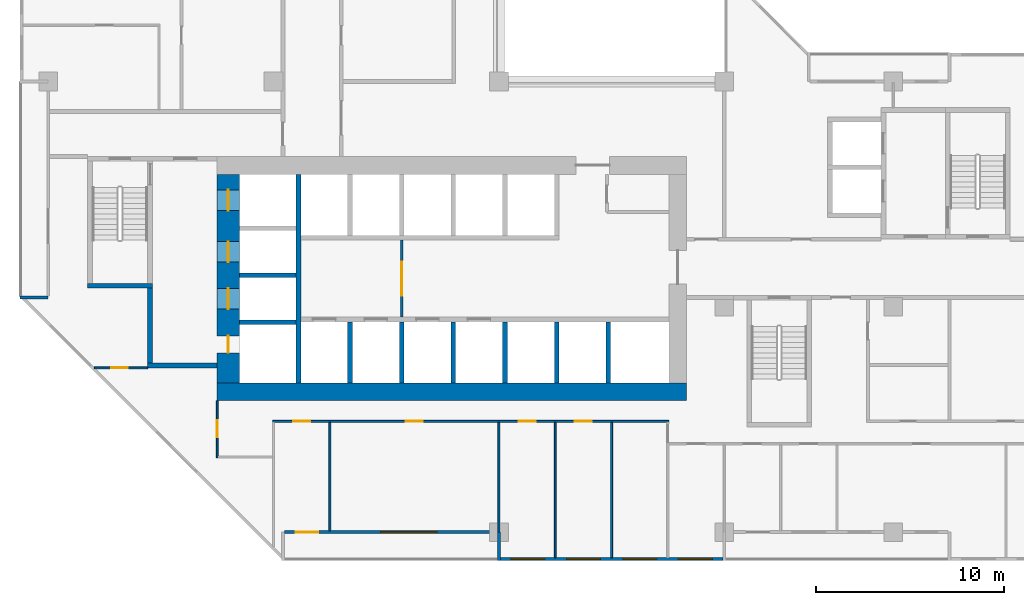
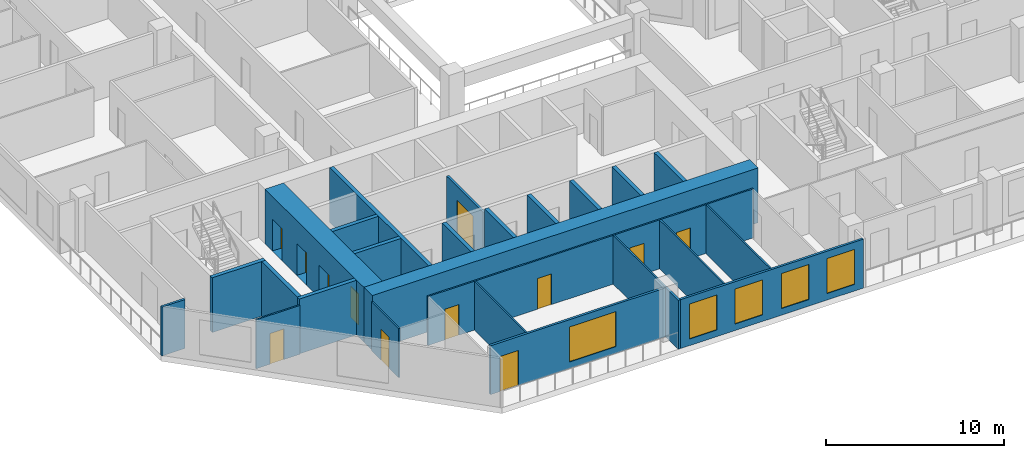
# One storey, part 4 of 16: 26 walls, 12 doors, 5 windows, 17 openings.
"""IFC4 building model written with IfcOpenShell, lengths in metres."""

from ifc_helpers import new_model, si_unit, direction, frame, frame_2d, origin, place, context, subcontext, project, spatial, rectangle, extrude, material, layer, layer_set, type_object, element, fill, save


model = new_model("IFC4")

# Units and contexts
model_context = context("Model", 3, precision=1e-05, world=origin(), true_north=direction((0.0, 1.0)))
body_context = subcontext(model_context, "Body", "Model", "MODEL_VIEW")
ifc_project = project(units=[si_unit("LENGTHUNIT", "METRE"), si_unit("AREAUNIT", "SQUARE_METRE"), si_unit("VOLUMEUNIT", "CUBIC_METRE"), si_unit("PLANEANGLEUNIT", "RADIAN"), si_unit("MASSUNIT", "GRAM", prefix="KILO")], contexts=[model_context])

# Site, building, storey
site_placement = place(None, origin())
site = spatial("IfcSite", under=ifc_project, at=site_placement, CompositionType="ELEMENT")
building_placement = place(site_placement, origin())
building = spatial("IfcBuilding", under=site, at=building_placement, Name="Chenar Terraces", CompositionType="ELEMENT")
storey_placement = place(building_placement, frame((0.0, 0.0, 103.14990234375)))
storey = spatial("IfcBuildingStorey", under=building, at=storey_placement, Name="L23", CompositionType="ELEMENT", Elevation=103.14990234375)

# Wall, opening, door
ifc_material_1 = material(Name="Gypsum board on steel studs", Category="steel")
ifc_layer_1 = layer(ifc_material_1, 0.14990234375)
ifc_layer_set_1 = layer_set([ifc_layer_1], Name="Gypsum board on steel studs")
wall_type_1 = type_object("IfcWallType", Name="Core partition 150 gypsum board", PredefinedType="PARTITIONING", material=ifc_layer_set_1)
wall_1_placement = place(storey_placement, frame((18.824951171875, 11.449951171875, 0.0), z_axis=(0.0, 0.0, 1.0), x_axis=(0.0, 1.0, 0.0)))
wall_1 = element("IfcWall", 1, at=wall_1_placement, inside=storey, type_object=wall_type_1, Name="Core partition CP1 lift lobby smoke stop", PredefinedType="PARTITIONING", context=body_context, shape_type="SweptSolid", body=[
    extrude(rectangle(XDim=4.10009765625, YDim=0.14990234375, at=frame_2d((2.050048828125, 0.0))), origin(), (0.0, 0.0, 1.0), 3.35009765625),
])
opening_1_placement = place(wall_1_placement, frame((1.14990234375, 0.0, 0.0)))
opening_1 = element("IfcOpeningElement", 2, at=opening_1_placement, cuts=wall_1, Name="Opening DL23-C12", PredefinedType="OPENING", context=body_context, shape_type="SweptSolid", body=[
    extrude(rectangle(XDim=1.800048828125, YDim=2.39990234375, at=frame_2d((0.89990234375, 1.199951171875))), frame((0.0, 0.0849609375, 0.0), z_axis=(0.0, -1.0, 0.0), x_axis=(1.0, 0.0, 0.0)), (0.0, 0.0, 1.0), 0.169921875),
])
ifc_material_2 = material(Name="Steel-framed fire-resisting door leaf", Category="steel")
door_type_1 = type_object("IfcDoorType", Name="Core entrance double fire door FD60 1800 x 2400", OperationType="DOUBLE_DOOR_SINGLE_SWING", PredefinedType="DOOR", material=ifc_material_2)
door_1_placement = place(opening_1_placement, origin())
door_1 = element("IfcDoor", 3, at=door_1_placement, inside=storey, type_object=door_type_1, Name="Core door DL23-C12", OperationType="DOUBLE_DOOR_SINGLE_SWING", OverallHeight=2.39990234375, OverallWidth=1.800048828125, PredefinedType="DOOR", context=body_context, shape_type="SweptSolid", body=[
    extrude(rectangle(XDim=1.800048828125, YDim=2.39990234375, at=frame_2d((0.89990234375, 1.199951171875))), frame((0.0, 0.02490234375, 0.0), z_axis=(0.0, -1.0, 0.0), x_axis=(1.0, 0.0, 0.0)), (0.0, 0.0, 1.0), 0.050048828125),
])
fill(opening_1, door_1)

# Wall, openings, doors
ifc_material_3 = material(Name="Concrete C70/85", Category="concrete")
ifc_layer_2 = layer(ifc_material_3, 1.199951171875)
ifc_layer_set_2 = layer_set([ifc_layer_2], Name="Concrete C70/85")
wall_type_2 = type_object("IfcWallType", Name="Core wall 1200 Concrete C70/85", PredefinedType="SHEAR", material=ifc_layer_set_2)
wall_2_placement = place(storey_placement, frame((9.60009765625, 7.949951171875, 0.0), z_axis=(0.0, 0.0, 1.0), x_axis=(0.0, 1.0, 0.0)))
wall_2 = element("IfcWall", 4, at=wall_2_placement, inside=storey, type_object=wall_type_2, Name="Core wall W L23", PredefinedType="SHEAR", context=body_context, shape_type="SweptSolid", body=[
    extrude(rectangle(XDim=11.10009765625, YDim=1.199951171875, at=frame_2d((5.550048828125, 0.0))), origin(), (0.0, 0.0, 1.0), 3.75),
])
opening_2_placement = place(wall_2_placement, frame((3.925048828125, 0.0, 0.0)))
opening_2 = element("IfcOpeningElement", 5, at=opening_2_placement, cuts=wall_2, Name="Opening DL23-LD5", PredefinedType="OPENING", context=body_context, shape_type="SweptSolid", body=[
    extrude(rectangle(XDim=1.10009765625, YDim=2.199951171875, at=frame_2d((0.550048828125, 1.10009765625))), frame((0.0, 0.60986328125, 0.0), z_axis=(0.0, -1.0, 0.0), x_axis=(1.0, 0.0, 0.0)), (0.0, 0.0, 1.0), 1.219970703125),
])
opening_3_placement = place(wall_2_placement, frame((6.425048828125, 0.0, 0.0)))
opening_3 = element("IfcOpeningElement", 6, at=opening_3_placement, cuts=wall_2, Name="Opening DL23-LD6", PredefinedType="OPENING", context=body_context, shape_type="SweptSolid", body=[
    extrude(rectangle(XDim=1.10009765625, YDim=2.199951171875, at=frame_2d((0.550048828125, 1.10009765625))), frame((0.0, 0.60986328125, 0.0), z_axis=(0.0, -1.0, 0.0), x_axis=(1.0, 0.0, 0.0)), (0.0, 0.0, 1.0), 1.219970703125),
])
opening_4_placement = place(wall_2_placement, frame((9.175048828125, 0.0, 0.0)))
opening_4 = element("IfcOpeningElement", 7, at=opening_4_placement, cuts=wall_2, Name="Opening DL23-LD7", PredefinedType="OPENING", context=body_context, shape_type="SweptSolid", body=[
    extrude(rectangle(XDim=1.10009765625, YDim=2.199951171875, at=frame_2d((0.550048828125, 1.10009765625))), frame((0.0, 0.60986328125, 0.0), z_axis=(0.0, -1.0, 0.0), x_axis=(1.0, 0.0, 0.0)), (0.0, 0.0, 1.0), 1.219970703125),
])
opening_5_placement = place(wall_2_placement, frame((1.60009765625, 0.0, 0.0)))
opening_5 = element("IfcOpeningElement", 8, at=opening_5_placement, cuts=wall_2, Name="Opening DL23-C4", PredefinedType="OPENING", context=body_context, shape_type="SweptSolid", body=[
    extrude(rectangle(XDim=0.89990234375, YDim=2.10009765625, at=frame_2d((0.449951171875, 1.050048828125))), frame((0.0, 0.60986328125, 0.0), z_axis=(0.0, -1.0, 0.0), x_axis=(1.0, 0.0, 0.0)), (0.0, 0.0, 1.0), 1.219970703125),
])
ifc_material_4 = material(Name="Stainless steel", Category="steel")
door_type_2 = type_object("IfcDoorType", Name="Lift landing door 1100 x 2200 sliding", OperationType="DOUBLE_DOOR_SLIDING", PredefinedType="DOOR", material=ifc_material_4)
door_2_placement = place(opening_2_placement, origin())
door_2 = element("IfcDoor", 9, at=door_2_placement, inside=storey, type_object=door_type_2, Name="Landing door S1", OperationType="DOUBLE_DOOR_SLIDING", OverallHeight=2.199951171875, OverallWidth=1.10009765625, PredefinedType="DOOR", context=body_context, shape_type="SweptSolid", body=[
    extrude(rectangle(XDim=1.10009765625, YDim=2.199951171875, at=frame_2d((0.550048828125, 1.10009765625))), frame((0.0, 0.02490234375, 0.0), z_axis=(0.0, -1.0, 0.0), x_axis=(1.0, 0.0, 0.0)), (0.0, 0.0, 1.0), 0.050048828125),
])
fill(opening_2, door_2)
door_3_placement = place(opening_3_placement, origin())
door_3 = element("IfcDoor", 10, at=door_3_placement, inside=storey, type_object=door_type_2, Name="Landing door F1", OperationType="DOUBLE_DOOR_SLIDING", OverallHeight=2.199951171875, OverallWidth=1.10009765625, PredefinedType="DOOR", context=body_context, shape_type="SweptSolid", body=[
    extrude(rectangle(XDim=1.10009765625, YDim=2.199951171875, at=frame_2d((0.550048828125, 1.10009765625))), frame((0.0, 0.02490234375, 0.0), z_axis=(0.0, -1.0, 0.0), x_axis=(1.0, 0.0, 0.0)), (0.0, 0.0, 1.0), 0.050048828125),
])
fill(opening_3, door_3)
door_4_placement = place(opening_4_placement, origin())
door_4 = element("IfcDoor", 11, at=door_4_placement, inside=storey, type_object=door_type_2, Name="Landing door F2", OperationType="DOUBLE_DOOR_SLIDING", OverallHeight=2.199951171875, OverallWidth=1.10009765625, PredefinedType="DOOR", context=body_context, shape_type="SweptSolid", body=[
    extrude(rectangle(XDim=1.10009765625, YDim=2.199951171875, at=frame_2d((0.550048828125, 1.10009765625))), frame((0.0, 0.02490234375, 0.0), z_axis=(0.0, -1.0, 0.0), x_axis=(1.0, 0.0, 0.0)), (0.0, 0.0, 1.0), 0.050048828125),
])
fill(opening_4, door_4)
ifc_material_5 = material(Name="Steel-framed fire-resisting door leaf", Category="steel")
door_type_3 = type_object("IfcDoorType", Name="Riser fire door FD60 900 x 2100", OperationType="SINGLE_SWING_LEFT", PredefinedType="DOOR", material=ifc_material_5)
door_5_placement = place(opening_5_placement, frame((0.89990234375, 0.0, 0.0), z_axis=(0.0, 0.0, 1.0), x_axis=(-1.0, 0.0, 0.0)))
door_5 = element("IfcDoor", 12, at=door_5_placement, inside=storey, type_object=door_type_3, Name="Riser door DL23-C4", OperationType="SINGLE_SWING_LEFT", OverallHeight=2.10009765625, OverallWidth=0.89990234375, PredefinedType="DOOR", context=body_context, shape_type="SweptSolid", body=[
    extrude(rectangle(XDim=0.89990234375, YDim=2.10009765625, at=frame_2d((0.449951171875, 1.050048828125))), frame((0.0, 0.02490234375, 0.0), z_axis=(0.0, -1.0, 0.0), x_axis=(1.0, 0.0, 0.0)), (0.0, 0.0, 1.0), 0.050048828125),
])
fill(opening_5, door_5)

# Walls
ifc_material_6 = material(Name="Concrete C70/85", Category="concrete")
ifc_layer_3 = layer(ifc_material_6, 0.25)
ifc_layer_set_3 = layer_set([ifc_layer_3], Name="Concrete C70/85")
wall_type_3 = type_object("IfcWallType", Name="Core wall 250 Concrete C70/85", PredefinedType="SHEAR", material=ifc_layer_set_3)
wall_3_placement = place(storey_placement, frame((13.324951171875, 7.949951171875, 0.0), z_axis=(0.0, 0.0, 1.0), x_axis=(0.0, 1.0, 0.0)))
element("IfcWall", 13, at=wall_3_placement, inside=storey, type_object=wall_type_3, Name="Core wall WI L23", PredefinedType="SHEAR", context=body_context, shape_type="SweptSolid", body=[
    extrude(rectangle(XDim=11.10009765625, YDim=0.25, at=frame_2d((5.550048828125, 0.0))), origin(), (0.0, 0.0, 1.0), 3.75),
])
for number, where, z_axis, x_axis, name in (
    (14, (10.199951171875, 11.175048828125, 0.0), (0.0, 0.0, 1.0), (1.0, 0.0, 0.0), "Core wall HW0 L23"),
    (15, (10.199951171875, 13.675048828125, 0.0), (0.0, 0.0, 1.0), (1.0, 0.0, 0.0), "Core wall HW1 L23"),
):
    element("IfcWall", number, at=place(storey_placement, frame(where, z_axis=z_axis, x_axis=x_axis)), inside=storey, type_object=wall_type_3, Name=name, PredefinedType="SHEAR", context=body_context, shape_type="SweptSolid", body=[
        extrude(rectangle(XDim=3.0, YDim=0.25, at=frame_2d((1.5, 0.0))), origin(), (0.0, 0.0, 1.0), 3.75),
    ])
for number, where, z_axis, x_axis, name in (
    (16, (16.074951171875, 7.949951171875, 0.0), (0.0, 0.0, 1.0), (0.0, 1.0, 0.0), "Core wall SS0 L23"),
    (17, (18.824951171875, 7.949951171875, 0.0), (0.0, 0.0, 1.0), (0.0, 1.0, 0.0), "Core wall SS1 L23"),
    (18, (21.574951171875, 7.949951171875, 0.0), (0.0, 0.0, 1.0), (0.0, 1.0, 0.0), "Core wall SS2 L23"),
    (19, (24.324951171875, 7.949951171875, 0.0), (0.0, 0.0, 1.0), (0.0, 1.0, 0.0), "Core wall SS3 L23"),
    (20, (27.074951171875, 7.949951171875, 0.0), (0.0, 0.0, 1.0), (0.0, 1.0, 0.0), "Core wall SS4 L23"),
    (21, (29.824951171875, 7.949951171875, 0.0), (0.0, 0.0, 1.0), (0.0, 1.0, 0.0), "Core wall SS5 L23"),
):
    element("IfcWall", number, at=place(storey_placement, frame(where, z_axis=z_axis, x_axis=x_axis)), inside=storey, type_object=wall_type_3, Name=name, PredefinedType="SHEAR", context=body_context, shape_type="SweptSolid", body=[
        extrude(rectangle(XDim=3.25, YDim=0.25, at=frame_2d((1.625, 0.0))), origin(), (0.0, 0.0, 1.0), 3.75),
    ])
wall_4_placement = place(storey_placement, frame((2.10009765625, 13.125, 0.0), z_axis=(0.0, 0.0, 1.0), x_axis=(1.0, 0.0, 0.0)))
element("IfcWall", 22, at=wall_4_placement, inside=storey, type_object=wall_type_3, Name="Core wall ST1_S L23", PredefinedType="SHEAR", context=body_context, shape_type="SweptSolid", body=[
    extrude(rectangle(XDim=3.449951171875, YDim=0.25, at=frame_2d((1.72509765625, 0.0))), origin(), (0.0, 0.0, 1.0), 3.75),
])
wall_5_placement = place(storey_placement, frame((5.300048828125, 8.875, 0.0), z_axis=(0.0, 0.0, 1.0), x_axis=(1.0, 0.0, 0.0)))
element("IfcWall", 23, at=wall_5_placement, inside=storey, type_object=wall_type_3, Name="Core wall FFL_S L23", PredefinedType="SHEAR", context=body_context, shape_type="SweptSolid", body=[
    extrude(rectangle(XDim=3.699951171875, YDim=0.25, at=frame_2d((1.85009765625, 0.0))), origin(), (0.0, 0.0, 1.0), 3.75),
])
wall_6_placement = place(storey_placement, frame((5.425048828125, 9.0, 0.0), z_axis=(0.0, 0.0, 1.0), x_axis=(0.0, 1.0, 0.0)))
element("IfcWall", 24, at=wall_6_placement, inside=storey, type_object=wall_type_3, Name="Core wall FFL_W L23", PredefinedType="SHEAR", context=body_context, shape_type="SweptSolid", body=[
    extrude(rectangle(XDim=4.0, YDim=0.25, at=frame_2d((2.0, 0.0))), origin(), (0.0, 0.0, 1.0), 3.75),
])
ifc_material_7 = material(Name="Concrete C70/85", Category="concrete")
ifc_layer_4 = layer(ifc_material_7, 0.949951171875)
ifc_layer_set_4 = layer_set([ifc_layer_4], Name="Concrete C70/85")
wall_type_4 = type_object("IfcWallType", Name="Core wall 950 Concrete C70/85", PredefinedType="SHEAR", material=ifc_layer_set_4)
wall_7_placement = place(storey_placement, frame((9.0, 7.47509765625, 0.0), z_axis=(0.0, 0.0, 1.0), x_axis=(1.0, 0.0, 0.0)))
element("IfcWall", 25, at=wall_7_placement, inside=storey, type_object=wall_type_4, Name="Core wall S L23", PredefinedType="SHEAR", context=body_context, shape_type="SweptSolid", body=[
    extrude(rectangle(XDim=25.0, YDim=0.949951171875, at=frame_2d((12.5, 0.0))), origin(), (0.0, 0.0, 1.0), 3.75),
])

# Wall, openings, windows
ifc_material_8 = material(Name="Aluminium framed glazing", Category="aluminium")
ifc_layer_5 = layer(ifc_material_8, 0.14990234375)
ifc_layer_set_5 = layer_set([ifc_layer_5], Name="Aluminium framed glazing")
wall_type_5 = type_object("IfcWallType", Name="Glazed flush facade wall 150", PredefinedType="SOLIDWALL", material=ifc_layer_set_5)
wall_8_placement = place(storey_placement, frame((24.074951171875, -1.425048828125, 0.0), z_axis=(0.0, 0.0, 1.0), x_axis=(1.0, 0.0, 0.0)))
wall_8 = element("IfcWall", 26, at=wall_8_placement, inside=storey, type_object=wall_type_5, Name="Glazed flush facade wall", PredefinedType="SOLIDWALL", context=body_context, shape_type="SweptSolid", body=[
    extrude(rectangle(XDim=11.85009765625, YDim=0.14990234375, at=frame_2d((5.925048828125, 0.0))), origin(), (0.0, 0.0, 1.0), 3.35009765625),
])
opening_6_placement = place(wall_8_placement, frame((0.5625, 0.0, 0.449951171875)))
opening_6 = element("IfcOpeningElement", 27, at=opening_6_placement, cuts=wall_8, Name="Opening W180x240", PredefinedType="OPENING", context=body_context, shape_type="SweptSolid", body=[
    extrude(rectangle(XDim=1.800048828125, YDim=2.39990234375, at=frame_2d((0.89990234375, 1.199951171875))), frame((0.0, 0.0849609375, 0.0), z_axis=(0.0, -1.0, 0.0), x_axis=(1.0, 0.0, 0.0)), (0.0, 0.0, 1.0), 0.169921875),
])
opening_7_placement = place(wall_8_placement, frame((3.52490234375, 0.0, 0.449951171875)))
opening_7 = element("IfcOpeningElement", 28, at=opening_7_placement, cuts=wall_8, Name="Opening W180x240", PredefinedType="OPENING", context=body_context, shape_type="SweptSolid", body=[
    extrude(rectangle(XDim=1.800048828125, YDim=2.39990234375, at=frame_2d((0.89990234375, 1.199951171875))), frame((0.0, 0.0849609375, 0.0), z_axis=(0.0, -1.0, 0.0), x_axis=(1.0, 0.0, 0.0)), (0.0, 0.0, 1.0), 0.169921875),
])
opening_8_placement = place(wall_8_placement, frame((6.52490234375, 0.0, 0.449951171875)))
opening_8 = element("IfcOpeningElement", 29, at=opening_8_placement, cuts=wall_8, Name="Opening W180x240", PredefinedType="OPENING", context=body_context, shape_type="SweptSolid", body=[
    extrude(rectangle(XDim=1.800048828125, YDim=2.39990234375, at=frame_2d((0.89990234375, 1.199951171875))), frame((0.0, 0.0849609375, 0.0), z_axis=(0.0, -1.0, 0.0), x_axis=(1.0, 0.0, 0.0)), (0.0, 0.0, 1.0), 0.169921875),
])
opening_9_placement = place(wall_8_placement, frame((9.487548828125, 0.0, 0.449951171875)))
opening_9 = element("IfcOpeningElement", 30, at=opening_9_placement, cuts=wall_8, Name="Opening W180x240", PredefinedType="OPENING", context=body_context, shape_type="SweptSolid", body=[
    extrude(rectangle(XDim=1.800048828125, YDim=2.39990234375, at=frame_2d((0.89990234375, 1.199951171875))), frame((0.0, 0.0849609375, 0.0), z_axis=(0.0, -1.0, 0.0), x_axis=(1.0, 0.0, 0.0)), (0.0, 0.0, 1.0), 0.169921875),
])
ifc_material_9 = material(Name="Low emissivity double glazing, aluminium frame", Category="aluminium")
window_type_1 = type_object("IfcWindowType", Name="Fixed light 1800 x 2400", PartitioningType="SINGLE_PANEL", PredefinedType="WINDOW", material=ifc_material_9)
window_1_placement = place(opening_6_placement, origin())
window_1 = element("IfcWindow", 31, at=window_1_placement, inside=storey, type_object=window_type_1, Name="Window", OverallHeight=2.39990234375, OverallWidth=1.800048828125, PartitioningType="SINGLE_PANEL", PredefinedType="WINDOW", context=body_context, shape_type="SweptSolid", body=[
    extrude(rectangle(XDim=1.800048828125, YDim=2.39990234375, at=frame_2d((0.89990234375, 1.199951171875))), frame((0.0, 0.030029296875, 0.0), z_axis=(0.0, -1.0, 0.0), x_axis=(1.0, 0.0, 0.0)), (0.0, 0.0, 1.0), 0.06005859375),
])
fill(opening_6, window_1)
window_2_placement = place(opening_7_placement, origin())
window_2 = element("IfcWindow", 32, at=window_2_placement, inside=storey, type_object=window_type_1, Name="Window", OverallHeight=2.39990234375, OverallWidth=1.800048828125, PartitioningType="SINGLE_PANEL", PredefinedType="WINDOW", context=body_context, shape_type="SweptSolid", body=[
    extrude(rectangle(XDim=1.800048828125, YDim=2.39990234375, at=frame_2d((0.89990234375, 1.199951171875))), frame((0.0, 0.030029296875, 0.0), z_axis=(0.0, -1.0, 0.0), x_axis=(1.0, 0.0, 0.0)), (0.0, 0.0, 1.0), 0.06005859375),
])
fill(opening_7, window_2)
window_3_placement = place(opening_8_placement, origin())
window_3 = element("IfcWindow", 33, at=window_3_placement, inside=storey, type_object=window_type_1, Name="Window", OverallHeight=2.39990234375, OverallWidth=1.800048828125, PartitioningType="SINGLE_PANEL", PredefinedType="WINDOW", context=body_context, shape_type="SweptSolid", body=[
    extrude(rectangle(XDim=1.800048828125, YDim=2.39990234375, at=frame_2d((0.89990234375, 1.199951171875))), frame((0.0, 0.030029296875, 0.0), z_axis=(0.0, -1.0, 0.0), x_axis=(1.0, 0.0, 0.0)), (0.0, 0.0, 1.0), 0.06005859375),
])
fill(opening_8, window_3)
window_4_placement = place(opening_9_placement, origin())
window_4 = element("IfcWindow", 34, at=window_4_placement, inside=storey, type_object=window_type_1, Name="Window", OverallHeight=2.39990234375, OverallWidth=1.800048828125, PartitioningType="SINGLE_PANEL", PredefinedType="WINDOW", context=body_context, shape_type="SweptSolid", body=[
    extrude(rectangle(XDim=1.800048828125, YDim=2.39990234375, at=frame_2d((0.89990234375, 1.199951171875))), frame((0.0, 0.030029296875, 0.0), z_axis=(0.0, -1.0, 0.0), x_axis=(1.0, 0.0, 0.0)), (0.0, 0.0, 1.0), 0.06005859375),
])
fill(opening_9, window_4)

# Wall, openings, window, door
ifc_material_10 = material(Name="Aluminium framed glazing", Category="aluminium")
ifc_layer_6 = layer(ifc_material_10, 0.14990234375)
ifc_layer_set_6 = layer_set([ifc_layer_6], Name="Aluminium framed glazing")
wall_type_6 = type_object("IfcWallType", Name="Glazed loggia back wall 150", PredefinedType="SOLIDWALL", material=ifc_layer_set_6)
wall_9_placement = place(storey_placement, frame((12.574951171875, 0.0, 0.0), z_axis=(0.0, 0.0, 1.0), x_axis=(1.0, 0.0, 0.0)))
wall_9 = element("IfcWall", 35, at=wall_9_placement, inside=storey, type_object=wall_type_6, Name="Glazed loggia back wall", PredefinedType="SOLIDWALL", context=body_context, shape_type="SweptSolid", body=[
    extrude(rectangle(XDim=11.35009765625, YDim=0.14990234375, at=frame_2d((5.675048828125, 0.0))), origin(), (0.0, 0.0, 1.0), 3.35009765625),
])
opening_10_placement = place(wall_9_placement, frame((0.612548828125, 0.0, 0.0)))
opening_10 = element("IfcOpeningElement", 36, at=opening_10_placement, cuts=wall_9, Name="Opening DL23-G6", PredefinedType="OPENING", context=body_context, shape_type="SweptSolid", body=[
    extrude(rectangle(XDim=1.199951171875, YDim=2.39990234375, at=frame_2d((0.60009765625, 1.199951171875))), frame((0.0, 0.0849609375, 0.0), z_axis=(0.0, -1.0, 0.0), x_axis=(1.0, 0.0, 0.0)), (0.0, 0.0, 1.0), 0.169921875),
])
opening_11_placement = place(wall_9_placement, frame((5.125, 0.0, 0.449951171875)))
opening_11 = element("IfcOpeningElement", 37, at=opening_11_placement, cuts=wall_9, Name="Opening W300x240", PredefinedType="OPENING", context=body_context, shape_type="SweptSolid", body=[
    extrude(rectangle(XDim=3.0, YDim=2.39990234375, at=frame_2d((1.5, 1.199951171875))), frame((0.0, 0.0849609375, 0.0), z_axis=(0.0, -1.0, 0.0), x_axis=(1.0, 0.0, 0.0)), (0.0, 0.0, 1.0), 0.169921875),
])
ifc_material_11 = material(Name="Low emissivity double glazing, aluminium frame", Category="aluminium")
window_type_2 = type_object("IfcWindowType", Name="Fixed light 3000 x 2400", PartitioningType="SINGLE_PANEL", PredefinedType="WINDOW", material=ifc_material_11)
window_5_placement = place(opening_11_placement, origin())
window_5 = element("IfcWindow", 38, at=window_5_placement, inside=storey, type_object=window_type_2, Name="Window", OverallHeight=2.39990234375, OverallWidth=3.0, PartitioningType="SINGLE_PANEL", PredefinedType="WINDOW", context=body_context, shape_type="SweptSolid", body=[
    extrude(rectangle(XDim=3.0, YDim=2.39990234375, at=frame_2d((1.5, 1.199951171875))), frame((0.0, 0.030029296875, 0.0), z_axis=(0.0, -1.0, 0.0), x_axis=(1.0, 0.0, 0.0)), (0.0, 0.0, 1.0), 0.06005859375),
])
fill(opening_11, window_5)
ifc_material_12 = material(Name="Low emissivity double glazing, aluminium frame", Category="aluminium")
door_type_4 = type_object("IfcDoorType", Name="Loggia glazed double door 1200 x 2400", OperationType="DOUBLE_DOOR_SINGLE_SWING", PredefinedType="DOOR", material=ifc_material_12)
door_6_placement = place(opening_10_placement, frame((1.199951171875, 0.0, 0.0), z_axis=(0.0, 0.0, 1.0), x_axis=(-1.0, 0.0, 0.0)))
door_6 = element("IfcDoor", 39, at=door_6_placement, inside=storey, type_object=door_type_4, Name="Loggia glazed door", OperationType="DOUBLE_DOOR_SINGLE_SWING", OverallHeight=2.39990234375, OverallWidth=1.199951171875, PredefinedType="DOOR", context=body_context, shape_type="SweptSolid", body=[
    extrude(rectangle(XDim=1.199951171875, YDim=2.39990234375, at=frame_2d((0.60009765625, 1.199951171875))), frame((0.0, 0.02490234375, 0.0), z_axis=(0.0, -1.0, 0.0), x_axis=(1.0, 0.0, 0.0)), (0.0, 0.0, 1.0), 0.050048828125),
])
fill(opening_10, door_6)

# Wall, opening, door
ifc_material_13 = material(Name="Gypsum board on steel studs", Category="steel")
ifc_layer_7 = layer(ifc_material_13, 0.10009765625)
ifc_layer_set_7 = layer_set([ifc_layer_7], Name="Gypsum board on steel studs")
wall_type_7 = type_object("IfcWallType", Name="Gypsum partition 100", PredefinedType="PARTITIONING", material=ifc_layer_set_7)
wall_10_placement = place(storey_placement, frame((2.4609375, 8.75, 0.0), z_axis=(0.0, 0.0, 1.0), x_axis=(1.0, 0.0, 0.0)))
wall_10 = element("IfcWall", 40, at=wall_10_placement, inside=storey, type_object=wall_type_7, Name="Partition L23-013", PredefinedType="PARTITIONING", context=body_context, shape_type="SweptSolid", body=[
    extrude(rectangle(XDim=2.839111328125, YDim=0.10009765625, at=frame_2d((1.41943359375, 0.0))), origin(), (0.0, 0.0, 1.0), 3.35009765625),
])
opening_12_placement = place(wall_10_placement, frame((0.888916015625, 0.0, 0.0)))
opening_12 = element("IfcOpeningElement", 41, at=opening_12_placement, cuts=wall_10, Name="Opening DL23-63", PredefinedType="OPENING", context=body_context, shape_type="SweptSolid", body=[
    extrude(rectangle(XDim=0.89990234375, YDim=2.10009765625, at=frame_2d((0.449951171875, 1.050048828125))), frame((0.0, 0.06005859375, 0.0), z_axis=(0.0, -1.0, 0.0), x_axis=(1.0, 0.0, 0.0)), (0.0, 0.0, 1.0), 0.1201171875),
])
ifc_material_14 = material(Name="Veneered timber door leaf", Category="wood")
door_type_5 = type_object("IfcDoorType", Name="Door 900 x 2100", OperationType="SINGLE_SWING_LEFT", PredefinedType="DOOR", material=ifc_material_14)
door_7_placement = place(opening_12_placement, frame((0.89990234375, 0.0, 0.0), z_axis=(0.0, 0.0, 1.0), x_axis=(-1.0, 0.0, 0.0)))
door_7 = element("IfcDoor", 42, at=door_7_placement, inside=storey, type_object=door_type_5, Name="Door DL23-63", OperationType="SINGLE_SWING_RIGHT", OverallHeight=2.10009765625, OverallWidth=0.89990234375, PredefinedType="DOOR", context=body_context, shape_type="SweptSolid", body=[
    extrude(rectangle(XDim=0.89990234375, YDim=2.10009765625, at=frame_2d((0.449951171875, 1.050048828125))), frame((0.0, 0.02490234375, 0.0), z_axis=(0.0, -1.0, 0.0), x_axis=(1.0, 0.0, 0.0)), (0.0, 0.0, 1.0), 0.050048828125),
])
fill(opening_12, door_7)

wall_11_placement = place(storey_placement, frame((9.0, 3.949951171875, 0.0), z_axis=(0.0, 0.0, 1.0), x_axis=(0.0, 1.0, 0.0)))
wall_11 = element("IfcWall", 43, at=wall_11_placement, inside=storey, type_object=wall_type_7, Name="Partition L23-030", PredefinedType="PARTITIONING", context=body_context, shape_type="SweptSolid", body=[
    extrude(rectangle(XDim=3.050048828125, YDim=0.10009765625, at=frame_2d((1.52490234375, 0.0))), origin(), (0.0, 0.0, 1.0), 3.35009765625),
])
opening_13_placement = place(wall_11_placement, frame((1.10009765625, 0.0, 0.0)))
opening_13 = element("IfcOpeningElement", 44, at=opening_13_placement, cuts=wall_11, Name="Opening DL23-62", PredefinedType="OPENING", context=body_context, shape_type="SweptSolid", body=[
    extrude(rectangle(XDim=0.89990234375, YDim=2.10009765625, at=frame_2d((0.449951171875, 1.050048828125))), frame((0.0, 0.06005859375, 0.0), z_axis=(0.0, -1.0, 0.0), x_axis=(1.0, 0.0, 0.0)), (0.0, 0.0, 1.0), 0.1201171875),
])
door_8_placement = place(opening_13_placement, origin())
door_8 = element("IfcDoor", 45, at=door_8_placement, inside=storey, type_object=door_type_5, Name="Door DL23-62", OperationType="SINGLE_SWING_LEFT", OverallHeight=2.10009765625, OverallWidth=0.89990234375, PredefinedType="DOOR", context=body_context, shape_type="SweptSolid", body=[
    extrude(rectangle(XDim=0.89990234375, YDim=2.10009765625, at=frame_2d((0.449951171875, 1.050048828125))), frame((0.0, 0.02490234375, 0.0), z_axis=(0.0, -1.0, 0.0), x_axis=(1.0, 0.0, 0.0)), (0.0, 0.0, 1.0), 0.050048828125),
])
fill(opening_13, door_8)

# Wall, openings, doors
wall_12_placement = place(storey_placement, frame((11.949951171875, 5.89990234375, 0.0), z_axis=(0.0, 0.0, 1.0), x_axis=(1.0, 0.0, 0.0)))
wall_12 = element("IfcWall", 46, at=wall_12_placement, inside=storey, type_object=wall_type_7, Name="Partition L23-032", PredefinedType="PARTITIONING", context=body_context, shape_type="SweptSolid", body=[
    extrude(rectangle(XDim=21.10009765625, YDim=0.10009765625, at=frame_2d((10.550048828125, 0.0))), origin(), (0.0, 0.0, 1.0), 3.35009765625),
])
opening_14_placement = place(wall_12_placement, frame((1.10009765625, 0.0, 0.0)))
opening_14 = element("IfcOpeningElement", 47, at=opening_14_placement, cuts=wall_12, Name="Opening DL23-54", PredefinedType="OPENING", context=body_context, shape_type="SweptSolid", body=[
    extrude(rectangle(XDim=0.89990234375, YDim=2.10009765625, at=frame_2d((0.449951171875, 1.050048828125))), frame((0.0, 0.06005859375, 0.0), z_axis=(0.0, -1.0, 0.0), x_axis=(1.0, 0.0, 0.0)), (0.0, 0.0, 1.0), 0.1201171875),
])
opening_15_placement = place(wall_12_placement, frame((13.10009765625, 0.0, 0.0)))
opening_15 = element("IfcOpeningElement", 48, at=opening_15_placement, cuts=wall_12, Name="Opening DL23-55", PredefinedType="OPENING", context=body_context, shape_type="SweptSolid", body=[
    extrude(rectangle(XDim=0.89990234375, YDim=2.10009765625, at=frame_2d((0.449951171875, 1.050048828125))), frame((0.0, 0.06005859375, 0.0), z_axis=(0.0, -1.0, 0.0), x_axis=(1.0, 0.0, 0.0)), (0.0, 0.0, 1.0), 0.1201171875),
])
opening_16_placement = place(wall_12_placement, frame((16.10009765625, 0.0, 0.0)))
opening_16 = element("IfcOpeningElement", 49, at=opening_16_placement, cuts=wall_12, Name="Opening DL23-56", PredefinedType="OPENING", context=body_context, shape_type="SweptSolid", body=[
    extrude(rectangle(XDim=0.89990234375, YDim=2.10009765625, at=frame_2d((0.449951171875, 1.050048828125))), frame((0.0, 0.06005859375, 0.0), z_axis=(0.0, -1.0, 0.0), x_axis=(1.0, 0.0, 0.0)), (0.0, 0.0, 1.0), 0.1201171875),
])
opening_17_placement = place(wall_12_placement, frame((7.10009765625, 0.0, 0.0)))
opening_17 = element("IfcOpeningElement", 50, at=opening_17_placement, cuts=wall_12, Name="Opening DL23-66", PredefinedType="OPENING", context=body_context, shape_type="SweptSolid", body=[
    extrude(rectangle(XDim=0.89990234375, YDim=2.10009765625, at=frame_2d((0.449951171875, 1.050048828125))), frame((0.0, 0.06005859375, 0.0), z_axis=(0.0, -1.0, 0.0), x_axis=(1.0, 0.0, 0.0)), (0.0, 0.0, 1.0), 0.1201171875),
])
door_9_placement = place(opening_14_placement, frame((0.89990234375, 0.0, 0.0), z_axis=(0.0, 0.0, 1.0), x_axis=(-1.0, 0.0, 0.0)))
door_9 = element("IfcDoor", 51, at=door_9_placement, inside=storey, type_object=door_type_5, Name="Door DL23-54", OperationType="SINGLE_SWING_RIGHT", OverallHeight=2.10009765625, OverallWidth=0.89990234375, PredefinedType="DOOR", context=body_context, shape_type="SweptSolid", body=[
    extrude(rectangle(XDim=0.89990234375, YDim=2.10009765625, at=frame_2d((0.449951171875, 1.050048828125))), frame((0.0, 0.02490234375, 0.0), z_axis=(0.0, -1.0, 0.0), x_axis=(1.0, 0.0, 0.0)), (0.0, 0.0, 1.0), 0.050048828125),
])
fill(opening_14, door_9)
door_10_placement = place(opening_15_placement, frame((0.89990234375, 0.0, 0.0), z_axis=(0.0, 0.0, 1.0), x_axis=(-1.0, 0.0, 0.0)))
door_10 = element("IfcDoor", 52, at=door_10_placement, inside=storey, type_object=door_type_5, Name="Door DL23-55", OperationType="SINGLE_SWING_RIGHT", OverallHeight=2.10009765625, OverallWidth=0.89990234375, PredefinedType="DOOR", context=body_context, shape_type="SweptSolid", body=[
    extrude(rectangle(XDim=0.89990234375, YDim=2.10009765625, at=frame_2d((0.449951171875, 1.050048828125))), frame((0.0, 0.02490234375, 0.0), z_axis=(0.0, -1.0, 0.0), x_axis=(1.0, 0.0, 0.0)), (0.0, 0.0, 1.0), 0.050048828125),
])
fill(opening_15, door_10)
door_11_placement = place(opening_16_placement, frame((0.89990234375, 0.0, 0.0), z_axis=(0.0, 0.0, 1.0), x_axis=(-1.0, 0.0, 0.0)))
door_11 = element("IfcDoor", 53, at=door_11_placement, inside=storey, type_object=door_type_5, Name="Door DL23-56", OperationType="SINGLE_SWING_RIGHT", OverallHeight=2.10009765625, OverallWidth=0.89990234375, PredefinedType="DOOR", context=body_context, shape_type="SweptSolid", body=[
    extrude(rectangle(XDim=0.89990234375, YDim=2.10009765625, at=frame_2d((0.449951171875, 1.050048828125))), frame((0.0, 0.02490234375, 0.0), z_axis=(0.0, -1.0, 0.0), x_axis=(1.0, 0.0, 0.0)), (0.0, 0.0, 1.0), 0.050048828125),
])
fill(opening_16, door_11)
door_12_placement = place(opening_17_placement, frame((0.89990234375, 0.0, 0.0), z_axis=(0.0, 0.0, 1.0), x_axis=(-1.0, 0.0, 0.0)))
door_12 = element("IfcDoor", 54, at=door_12_placement, inside=storey, type_object=door_type_5, Name="Door DL23-66", OperationType="SINGLE_SWING_RIGHT", OverallHeight=2.10009765625, OverallWidth=0.89990234375, PredefinedType="DOOR", context=body_context, shape_type="SweptSolid", body=[
    extrude(rectangle(XDim=0.89990234375, YDim=2.10009765625, at=frame_2d((0.449951171875, 1.050048828125))), frame((0.0, 0.02490234375, 0.0), z_axis=(0.0, -1.0, 0.0), x_axis=(1.0, 0.0, 0.0)), (0.0, 0.0, 1.0), 0.050048828125),
])
fill(opening_17, door_12)

# Walls
wall_13_placement = place(storey_placement, frame((15.0, 0.073974609375, 0.0), z_axis=(0.0, 0.0, 1.0), x_axis=(0.0, 1.0, 0.0)))
element("IfcWall", 55, at=wall_13_placement, inside=storey, type_object=wall_type_7, Name="Partition L23-035", PredefinedType="PARTITIONING", context=body_context, shape_type="SweptSolid", body=[
    extrude(rectangle(XDim=5.776123046875, YDim=0.10009765625, at=frame_2d((2.88818359375, 0.0))), origin(), (0.0, 0.0, 1.0), 3.35009765625),
])
wall_14_placement = place(storey_placement, frame((24.0, 0.0, 0.0), z_axis=(0.0, 0.0, 1.0), x_axis=(0.0, 1.0, 0.0)))
element("IfcWall", 56, at=wall_14_placement, inside=storey, type_object=wall_type_7, Name="Partition L23-056", PredefinedType="PARTITIONING", context=body_context, shape_type="SweptSolid", body=[
    extrude(rectangle(XDim=5.85009765625, YDim=0.10009765625, at=frame_2d((2.925048828125, 0.0))), origin(), (0.0, 0.0, 1.0), 3.35009765625),
])
for number, where, z_axis, x_axis, name in (
    (57, (27.0, -1.35107421875, 0.0), (0.0, 0.0, 1.0), (0.0, 1.0, 0.0), "Partition L23-057"),
    (58, (30.0, -1.35107421875, 0.0), (0.0, 0.0, 1.0), (0.0, 1.0, 0.0), "Partition L23-058"),
):
    element("IfcWall", number, at=place(storey_placement, frame(where, z_axis=z_axis, x_axis=x_axis)), inside=storey, type_object=wall_type_7, Name=name, PredefinedType="PARTITIONING", context=body_context, shape_type="SweptSolid", body=[
        extrude(rectangle(XDim=7.201171875, YDim=0.10009765625, at=frame_2d((3.6005859375, 0.0))), origin(), (0.0, 0.0, 1.0), 3.35009765625),
    ])
ifc_material_15 = material(Name="Terracotta cladding on insulated backing", Category="masonry")
ifc_layer_8 = layer(ifc_material_15, 0.14990234375)
ifc_layer_set_8 = layer_set([ifc_layer_8], Name="Terracotta cladding on insulated backing")
wall_type_8 = type_object("IfcWallType", Name="Loggia return wall 150", PredefinedType="SOLIDWALL", material=ifc_layer_set_8)
for number, where, z_axis, x_axis, name in (
    (59, (-1.5, 12.5, 0.0), (0.0, 0.0, 1.0), (1.0, 0.0, 0.0), "Loggia return wall"),
    (60, (24.0, -1.5, 0.0), (0.0, 0.0, 1.0), (0.0, 1.0, 0.0), "Loggia return wall"),
):
    element("IfcWall", number, at=place(storey_placement, frame(where, z_axis=z_axis, x_axis=x_axis)), inside=storey, type_object=wall_type_8, Name=name, PredefinedType="SOLIDWALL", context=body_context, shape_type="SweptSolid", body=[
        extrude(rectangle(XDim=1.5, YDim=0.14990234375, at=frame_2d((0.75, 0.0))), origin(), (0.0, 0.0, 1.0), 3.35009765625),
    ])

save(model, "model.ifc")
